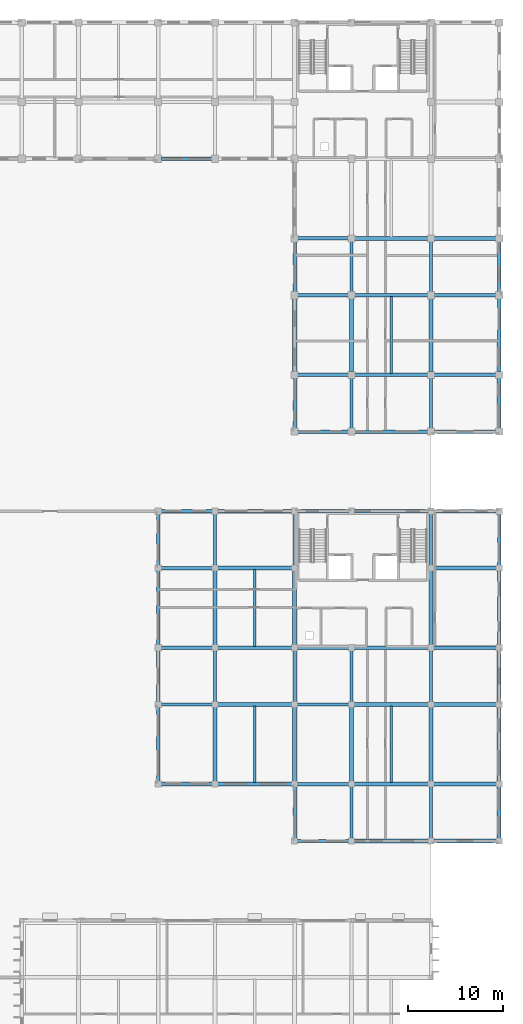
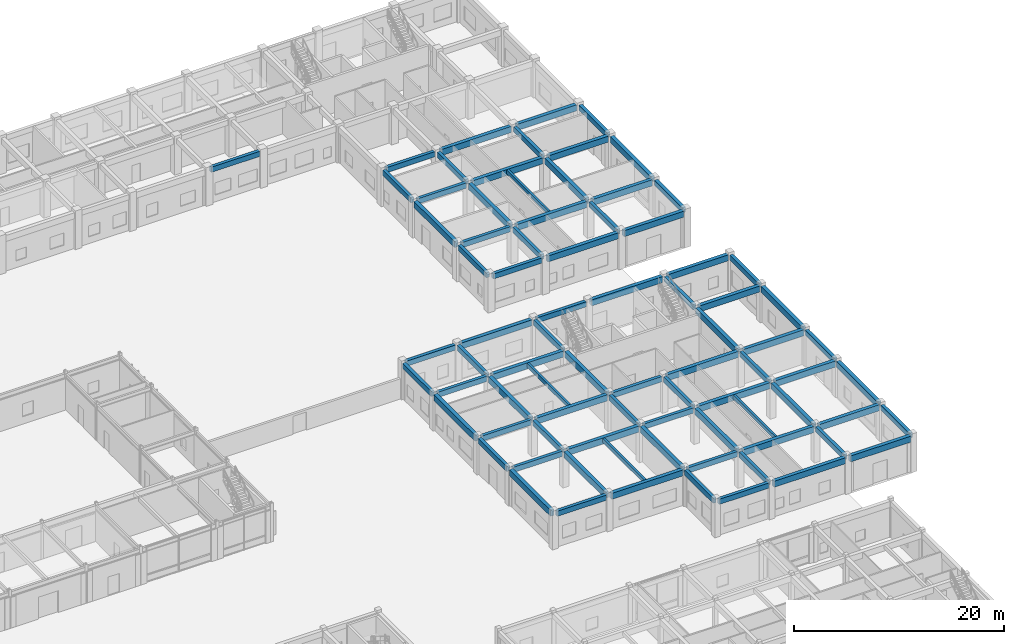
# One storey, part 22 of 67: 81 beams.
"""IFC4 building model written with IfcOpenShell, lengths in metres."""

from ifc_helpers import new_model, si_unit, direction, frame, origin, origin_2d, place, context, subcontext, project, spatial, rectangle, extrude, material, material_profile, profile_set, type_object, element, save


model = new_model("IFC4")

# Units and contexts
model_context = context("Model", 3, precision=1e-05, world=origin(), true_north=direction((0.0, 1.0)))
body_context = subcontext(model_context, "Body", "Model", "MODEL_VIEW")
ifc_project = project(units=[si_unit("LENGTHUNIT", "METRE"), si_unit("AREAUNIT", "SQUARE_METRE"), si_unit("VOLUMEUNIT", "CUBIC_METRE"), si_unit("PLANEANGLEUNIT", "RADIAN"), si_unit("MASSUNIT", "GRAM", prefix="KILO"), si_unit("THERMODYNAMICTEMPERATUREUNIT", "KELVIN")], contexts=[model_context])

# Site, building, storey
site_placement = place(None, origin())
site = spatial("IfcSite", under=ifc_project, at=site_placement, CompositionType="ELEMENT")
building_placement = place(site_placement, origin())
building = spatial("IfcBuilding", under=site, at=building_placement, Name="Thalorik Housing Commons", CompositionType="ELEMENT")
storey_placement = place(building_placement, origin())
storey = spatial("IfcBuildingStorey", under=building, at=storey_placement, Name="L00", CompositionType="ELEMENT", Elevation=0.0)

# Beams
ifc_material = material(Name="Precast concrete C40/50", Category="concrete")
ifc_material_profile_1 = material_profile(ifc_material, rectangle(XDim=0.35009765625, YDim=0.60009765625, at=origin_2d()), Name="PC 350x600", Category="concrete")
ifc_profile_set_1 = profile_set([ifc_material_profile_1], Name="Precast concrete C40/50")
beam_type_1 = type_object("IfcBeamType", Name="STR-BM-PC350x600", PredefinedType="BEAM", material=ifc_profile_set_1)
beam_1_placement = place(storey_placement, frame((152.675048828125, 37.199951171875, 3.89990234375), z_axis=(1.0, 0.0, 0.0), x_axis=(0.0, 1.0, 0.0)))
element("IfcBeam", 1, at=beam_1_placement, inside=storey, type_object=beam_type_1, Name="L00 Beam B-600", PredefinedType="BEAM", context=body_context, shape_type="SweptSolid", body=[
    extrude(rectangle(XDim=0.35009765625, YDim=0.60009765625, at=origin_2d()), origin(), (0.0, 0.0, 1.0), 5.449951171875),
])
beam_2_placement = place(storey_placement, frame((138.27490234375, 43.199951171875, 3.89990234375), z_axis=(1.0, 0.0, 0.0), x_axis=(0.0, 1.0, 0.0)))
element("IfcBeam", 2, at=beam_2_placement, inside=storey, type_object=beam_type_1, Name="L00 Beam B-600", PredefinedType="BEAM", context=body_context, shape_type="SweptSolid", body=[
    extrude(rectangle(XDim=0.35009765625, YDim=0.60009765625, at=origin_2d()), origin(), (0.0, 0.0, 1.0), 5.4501953125),
])
beam_3_placement = place(storey_placement, frame((152.675048828125, 43.199951171875, 3.89990234375), z_axis=(1.0, 0.0, 0.0), x_axis=(0.0, 1.0, 0.0)))
element("IfcBeam", 3, at=beam_3_placement, inside=storey, type_object=beam_type_1, Name="L00 Beam B-600", PredefinedType="BEAM", context=body_context, shape_type="SweptSolid", body=[
    extrude(rectangle(XDim=0.35009765625, YDim=0.60009765625, at=origin_2d()), origin(), (0.0, 0.0, 1.0), 5.449951171875),
])
beam_4_placement = place(storey_placement, frame((138.27490234375, 51.60009765625, 3.89990234375), z_axis=(1.0, 0.0, 0.0), x_axis=(0.0, 1.0, 0.0)))
element("IfcBeam", 4, at=beam_4_placement, inside=storey, type_object=beam_type_1, Name="L00 Beam B-600", PredefinedType="BEAM", context=body_context, shape_type="SweptSolid", body=[
    extrude(rectangle(XDim=0.35009765625, YDim=0.60009765625, at=origin_2d()), origin(), (0.0, 0.0, 1.0), 5.4501953125),
])
beam_5_placement = place(storey_placement, frame((152.675048828125, 51.60009765625, 3.89990234375), z_axis=(1.0, 0.0, 0.0), x_axis=(0.0, 1.0, 0.0)))
element("IfcBeam", 5, at=beam_5_placement, inside=storey, type_object=beam_type_1, Name="L00 Beam B-600", PredefinedType="BEAM", context=body_context, shape_type="SweptSolid", body=[
    extrude(rectangle(XDim=0.35009765625, YDim=0.60009765625, at=origin_2d()), origin(), (0.0, 0.0, 1.0), 5.449951171875),
])
beam_6_placement = place(storey_placement, frame((138.27490234375, 57.60009765625, 3.89990234375), z_axis=(1.0, 0.0, 0.0), x_axis=(0.0, 1.0, 0.0)))
element("IfcBeam", 6, at=beam_6_placement, inside=storey, type_object=beam_type_1, Name="L00 Beam B-600", PredefinedType="BEAM", context=body_context, shape_type="SweptSolid", body=[
    extrude(rectangle(XDim=0.35009765625, YDim=0.60009765625, at=origin_2d()), origin(), (0.0, 0.0, 1.0), 5.4501953125),
])
beam_7_placement = place(storey_placement, frame((152.675048828125, 57.60009765625, 3.89990234375), z_axis=(1.0, 0.0, 0.0), x_axis=(0.0, 1.0, 0.0)))
element("IfcBeam", 7, at=beam_7_placement, inside=storey, type_object=beam_type_1, Name="L00 Beam B-600", PredefinedType="BEAM", context=body_context, shape_type="SweptSolid", body=[
    extrude(rectangle(XDim=0.35009765625, YDim=0.60009765625, at=origin_2d()), origin(), (0.0, 0.0, 1.0), 5.449951171875),
])
for number, where, z_axis, x_axis, name in (
    (8, (138.27490234375, 66.0, 3.89990234375), (1.0, 0.0, 0.0), (0.0, 1.0, 0.0), "L00 Beam B-600"),
    (9, (138.27490234375, 72.0, 3.89990234375), (1.0, 0.0, 0.0), (0.0, 1.0, 0.0), "L00 Beam B-600"),
):
    element("IfcBeam", number, at=place(storey_placement, frame(where, z_axis=z_axis, x_axis=x_axis)), inside=storey, type_object=beam_type_1, Name=name, PredefinedType="BEAM", context=body_context, shape_type="SweptSolid", body=[
        extrude(rectangle(XDim=0.35009765625, YDim=0.60009765625, at=origin_2d()), origin(), (0.0, 0.0, 1.0), 5.4501953125),
    ])
beam_8_placement = place(storey_placement, frame((152.675048828125, 72.0, 3.89990234375), z_axis=(1.0, 0.0, 0.0), x_axis=(0.0, 1.0, 0.0)))
element("IfcBeam", 10, at=beam_8_placement, inside=storey, type_object=beam_type_1, Name="L00 Beam B-600", PredefinedType="BEAM", context=body_context, shape_type="SweptSolid", body=[
    extrude(rectangle(XDim=0.35009765625, YDim=0.60009765625, at=origin_2d()), origin(), (0.0, 0.0, 1.0), 5.449951171875),
])
for number, where, z_axis, x_axis, name in (
    (11, (152.72509765625, 80.39990234375, 3.89990234375), (1.0, 0.0, 0.0), (0.0, 1.0, 0.0), "L00 Beam B-600"),
    (12, (152.72509765625, 86.39990234375, 3.89990234375), (1.0, 0.0, 0.0), (0.0, 1.0, 0.0), "L00 Beam B-600"),
    (13, (152.72509765625, 94.800048828125, 3.89990234375), (1.0, 0.0, 0.0), (0.0, 1.0, 0.0), "L00 Beam B-600"),
    (14, (152.72509765625, 100.800048828125, 3.89990234375), (1.0, 0.0, 0.0), (0.0, 1.0, 0.0), "L00 Beam B-600"),
):
    element("IfcBeam", number, at=place(storey_placement, frame(where, z_axis=z_axis, x_axis=x_axis)), inside=storey, type_object=beam_type_1, Name=name, PredefinedType="BEAM", context=body_context, shape_type="SweptSolid", body=[
        extrude(rectangle(XDim=0.35009765625, YDim=0.60009765625, at=origin_2d()), origin(), (0.0, 0.0, 1.0), 5.349853515625),
    ])
beam_9_placement = place(storey_placement, frame((138.324951171875, 109.199951171875, 3.89990234375), z_axis=(1.0, 0.0, 0.0), x_axis=(0.0, 1.0, 0.0)))
element("IfcBeam", 15, at=beam_9_placement, inside=storey, type_object=beam_type_1, Name="L00 Beam B-600", PredefinedType="BEAM", context=body_context, shape_type="SweptSolid", body=[
    extrude(rectangle(XDim=0.35009765625, YDim=0.60009765625, at=origin_2d()), origin(), (0.0, 0.0, 1.0), 5.35009765625),
])
beam_10_placement = place(storey_placement, frame((138.0, 51.875, 3.89990234375), z_axis=(0.0, 1.0, 0.0), x_axis=(-1.0, 0.0, 0.0)))
element("IfcBeam", 16, at=beam_10_placement, inside=storey, type_object=beam_type_1, Name="L00 Beam B-600", PredefinedType="BEAM", context=body_context, shape_type="SweptSolid", body=[
    extrude(rectangle(XDim=0.35009765625, YDim=0.60009765625, at=origin_2d()), origin(), (0.0, 0.0, 1.0), 5.449951171875),
])
beam_11_placement = place(storey_placement, frame((138.0, 66.27490234375, 3.89990234375), z_axis=(0.0, 1.0, 0.0), x_axis=(-1.0, 0.0, 0.0)))
element("IfcBeam", 17, at=beam_11_placement, inside=storey, type_object=beam_type_1, Name="L00 Beam B-600", PredefinedType="BEAM", context=body_context, shape_type="SweptSolid", body=[
    extrude(rectangle(XDim=0.35009765625, YDim=0.60009765625, at=origin_2d()), origin(), (0.0, 0.0, 1.0), 5.4501953125),
])
beam_12_placement = place(storey_placement, frame((144.0, 51.875, 3.89990234375), z_axis=(0.0, 1.0, 0.0), x_axis=(-1.0, 0.0, 0.0)))
element("IfcBeam", 18, at=beam_12_placement, inside=storey, type_object=beam_type_1, Name="L00 Beam B-600", PredefinedType="BEAM", context=body_context, shape_type="SweptSolid", body=[
    extrude(rectangle(XDim=0.35009765625, YDim=0.60009765625, at=origin_2d()), origin(), (0.0, 0.0, 1.0), 5.449951171875),
])
beam_13_placement = place(storey_placement, frame((144.0, 66.27490234375, 3.89990234375), z_axis=(0.0, 1.0, 0.0), x_axis=(-1.0, 0.0, 0.0)))
element("IfcBeam", 19, at=beam_13_placement, inside=storey, type_object=beam_type_1, Name="L00 Beam B-600", PredefinedType="BEAM", context=body_context, shape_type="SweptSolid", body=[
    extrude(rectangle(XDim=0.35009765625, YDim=0.60009765625, at=origin_2d()), origin(), (0.0, 0.0, 1.0), 5.4501953125),
])
for number, where, z_axis, x_axis, name in (
    (20, (152.39990234375, 37.47509765625, 3.89990234375), (0.0, 1.0, 0.0), (-1.0, 0.0, 0.0), "L00 Beam B-600"),
    (21, (152.39990234375, 51.875, 3.89990234375), (0.0, 1.0, 0.0), (-1.0, 0.0, 0.0), "L00 Beam B-600"),
):
    element("IfcBeam", number, at=place(storey_placement, frame(where, z_axis=z_axis, x_axis=x_axis)), inside=storey, type_object=beam_type_1, Name=name, PredefinedType="BEAM", context=body_context, shape_type="SweptSolid", body=[
        extrude(rectangle(XDim=0.35009765625, YDim=0.60009765625, at=origin_2d()), origin(), (0.0, 0.0, 1.0), 5.449951171875),
    ])
beam_14_placement = place(storey_placement, frame((152.39990234375, 66.27490234375, 3.89990234375), z_axis=(0.0, 1.0, 0.0), x_axis=(-1.0, 0.0, 0.0)))
element("IfcBeam", 22, at=beam_14_placement, inside=storey, type_object=beam_type_1, Name="L00 Beam B-600", PredefinedType="BEAM", context=body_context, shape_type="SweptSolid", body=[
    extrude(rectangle(XDim=0.35009765625, YDim=0.60009765625, at=origin_2d()), origin(), (0.0, 0.0, 1.0), 5.4501953125),
])
beam_15_placement = place(storey_placement, frame((152.39990234375, 80.72509765625, 3.89990234375), z_axis=(0.0, 1.0, 0.0), x_axis=(-1.0, 0.0, 0.0)))
element("IfcBeam", 23, at=beam_15_placement, inside=storey, type_object=beam_type_1, Name="L00 Beam B-600", PredefinedType="BEAM", context=body_context, shape_type="SweptSolid", body=[
    extrude(rectangle(XDim=0.35009765625, YDim=0.60009765625, at=origin_2d()), origin(), (0.0, 0.0, 1.0), 5.349853515625),
])
beam_16_placement = place(storey_placement, frame((152.39990234375, 95.125, 3.89990234375), z_axis=(0.0, 1.0, 0.0), x_axis=(-1.0, 0.0, 0.0)))
element("IfcBeam", 24, at=beam_16_placement, inside=storey, type_object=beam_type_1, Name="L00 Beam B-600", PredefinedType="BEAM", context=body_context, shape_type="SweptSolid", body=[
    extrude(rectangle(XDim=0.35009765625, YDim=0.60009765625, at=origin_2d()), origin(), (0.0, 0.0, 1.0), 5.35009765625),
])
for number, where, z_axis, x_axis, name in (
    (25, (158.39990234375, 37.47509765625, 3.89990234375), (0.0, 1.0, 0.0), (-1.0, 0.0, 0.0), "L00 Beam B-600"),
    (26, (158.39990234375, 51.875, 3.89990234375), (0.0, 1.0, 0.0), (-1.0, 0.0, 0.0), "L00 Beam B-600"),
):
    element("IfcBeam", number, at=place(storey_placement, frame(where, z_axis=z_axis, x_axis=x_axis)), inside=storey, type_object=beam_type_1, Name=name, PredefinedType="BEAM", context=body_context, shape_type="SweptSolid", body=[
        extrude(rectangle(XDim=0.35009765625, YDim=0.60009765625, at=origin_2d()), origin(), (0.0, 0.0, 1.0), 5.449951171875),
    ])
beam_17_placement = place(storey_placement, frame((158.39990234375, 80.72509765625, 3.89990234375), z_axis=(0.0, 1.0, 0.0), x_axis=(-1.0, 0.0, 0.0)))
element("IfcBeam", 27, at=beam_17_placement, inside=storey, type_object=beam_type_1, Name="L00 Beam B-600", PredefinedType="BEAM", context=body_context, shape_type="SweptSolid", body=[
    extrude(rectangle(XDim=0.35009765625, YDim=0.60009765625, at=origin_2d()), origin(), (0.0, 0.0, 1.0), 5.349853515625),
])
beam_18_placement = place(storey_placement, frame((158.39990234375, 95.125, 3.89990234375), z_axis=(0.0, 1.0, 0.0), x_axis=(-1.0, 0.0, 0.0)))
element("IfcBeam", 28, at=beam_18_placement, inside=storey, type_object=beam_type_1, Name="L00 Beam B-600", PredefinedType="BEAM", context=body_context, shape_type="SweptSolid", body=[
    extrude(rectangle(XDim=0.35009765625, YDim=0.60009765625, at=origin_2d()), origin(), (0.0, 0.0, 1.0), 5.35009765625),
])
for number, where, z_axis, x_axis, name in (
    (29, (166.800048828125, 37.47509765625, 3.89990234375), (0.0, 1.0, 0.0), (-1.0, 0.0, 0.0), "L00 Beam B-600"),
    (30, (166.800048828125, 51.875, 3.89990234375), (0.0, 1.0, 0.0), (-1.0, 0.0, 0.0), "L00 Beam B-600"),
):
    element("IfcBeam", number, at=place(storey_placement, frame(where, z_axis=z_axis, x_axis=x_axis)), inside=storey, type_object=beam_type_1, Name=name, PredefinedType="BEAM", context=body_context, shape_type="SweptSolid", body=[
        extrude(rectangle(XDim=0.35009765625, YDim=0.60009765625, at=origin_2d()), origin(), (0.0, 0.0, 1.0), 5.449951171875),
    ])
beam_19_placement = place(storey_placement, frame((166.800048828125, 66.27490234375, 3.89990234375), z_axis=(0.0, 1.0, 0.0), x_axis=(-1.0, 0.0, 0.0)))
element("IfcBeam", 31, at=beam_19_placement, inside=storey, type_object=beam_type_1, Name="L00 Beam B-600", PredefinedType="BEAM", context=body_context, shape_type="SweptSolid", body=[
    extrude(rectangle(XDim=0.35009765625, YDim=0.60009765625, at=origin_2d()), origin(), (0.0, 0.0, 1.0), 5.4501953125),
])
beam_20_placement = place(storey_placement, frame((166.800048828125, 80.72509765625, 3.89990234375), z_axis=(0.0, 1.0, 0.0), x_axis=(-1.0, 0.0, 0.0)))
element("IfcBeam", 32, at=beam_20_placement, inside=storey, type_object=beam_type_1, Name="L00 Beam B-600", PredefinedType="BEAM", context=body_context, shape_type="SweptSolid", body=[
    extrude(rectangle(XDim=0.35009765625, YDim=0.60009765625, at=origin_2d()), origin(), (0.0, 0.0, 1.0), 5.349853515625),
])
beam_21_placement = place(storey_placement, frame((166.800048828125, 95.125, 3.89990234375), z_axis=(0.0, 1.0, 0.0), x_axis=(-1.0, 0.0, 0.0)))
element("IfcBeam", 33, at=beam_21_placement, inside=storey, type_object=beam_type_1, Name="L00 Beam B-600", PredefinedType="BEAM", context=body_context, shape_type="SweptSolid", body=[
    extrude(rectangle(XDim=0.35009765625, YDim=0.60009765625, at=origin_2d()), origin(), (0.0, 0.0, 1.0), 5.35009765625),
])
for number, where, z_axis, x_axis, name in (
    (34, (174.0, 37.47509765625, 3.89990234375), (0.0, 1.0, 0.0), (-1.0, 0.0, 0.0), "L00 Beam B-600"),
    (35, (174.0, 51.875, 3.89990234375), (0.0, 1.0, 0.0), (-1.0, 0.0, 0.0), "L00 Beam B-600"),
):
    element("IfcBeam", number, at=place(storey_placement, frame(where, z_axis=z_axis, x_axis=x_axis)), inside=storey, type_object=beam_type_1, Name=name, PredefinedType="BEAM", context=body_context, shape_type="SweptSolid", body=[
        extrude(rectangle(XDim=0.35009765625, YDim=0.60009765625, at=origin_2d()), origin(), (0.0, 0.0, 1.0), 5.449951171875),
    ])
beam_22_placement = place(storey_placement, frame((174.0, 66.27490234375, 3.89990234375), z_axis=(0.0, 1.0, 0.0), x_axis=(-1.0, 0.0, 0.0)))
element("IfcBeam", 36, at=beam_22_placement, inside=storey, type_object=beam_type_1, Name="L00 Beam B-600", PredefinedType="BEAM", context=body_context, shape_type="SweptSolid", body=[
    extrude(rectangle(XDim=0.35009765625, YDim=0.60009765625, at=origin_2d()), origin(), (0.0, 0.0, 1.0), 5.4501953125),
])
beam_23_placement = place(storey_placement, frame((174.0, 80.72509765625, 3.89990234375), z_axis=(0.0, 1.0, 0.0), x_axis=(-1.0, 0.0, 0.0)))
element("IfcBeam", 37, at=beam_23_placement, inside=storey, type_object=beam_type_1, Name="L00 Beam B-600", PredefinedType="BEAM", context=body_context, shape_type="SweptSolid", body=[
    extrude(rectangle(XDim=0.35009765625, YDim=0.60009765625, at=origin_2d()), origin(), (0.0, 0.0, 1.0), 5.349853515625),
])
beam_24_placement = place(storey_placement, frame((174.0, 95.125, 3.89990234375), z_axis=(0.0, 1.0, 0.0), x_axis=(-1.0, 0.0, 0.0)))
element("IfcBeam", 38, at=beam_24_placement, inside=storey, type_object=beam_type_1, Name="L00 Beam B-600", PredefinedType="BEAM", context=body_context, shape_type="SweptSolid", body=[
    extrude(rectangle(XDim=0.35009765625, YDim=0.60009765625, at=origin_2d()), origin(), (0.0, 0.0, 1.0), 5.35009765625),
])
ifc_material_profile_2 = material_profile(ifc_material, rectangle(XDim=0.39990234375, YDim=0.699951171875, at=origin_2d()), Name="PC 400x700", Category="concrete")
ifc_profile_set_2 = profile_set([ifc_material_profile_2], Name="Precast concrete C40/50")
beam_type_2 = type_object("IfcBeamType", Name="STR-BM-PC400x700", PredefinedType="BEAM", material=ifc_profile_set_2)
beam_25_placement = place(storey_placement, frame((158.675048828125, 37.199951171875, 3.85009765625), z_axis=(1.0, 0.0, 0.0), x_axis=(0.0, 1.0, 0.0)))
element("IfcBeam", 39, at=beam_25_placement, inside=storey, type_object=beam_type_2, Name="L00 Beam B-700", PredefinedType="BEAM", context=body_context, shape_type="SweptSolid", body=[
    extrude(rectangle(XDim=0.39990234375, YDim=0.699951171875, at=origin_2d()), origin(), (0.0, 0.0, 1.0), 7.849853515625),
])
beam_26_placement = place(storey_placement, frame((167.074951171875, 37.199951171875, 3.85009765625), z_axis=(1.0, 0.0, 0.0), x_axis=(0.0, 1.0, 0.0)))
element("IfcBeam", 40, at=beam_26_placement, inside=storey, type_object=beam_type_2, Name="L00 Beam B-700", PredefinedType="BEAM", context=body_context, shape_type="SweptSolid", body=[
    extrude(rectangle(XDim=0.39990234375, YDim=0.699951171875, at=origin_2d()), origin(), (0.0, 0.0, 1.0), 6.650146484375),
])
beam_27_placement = place(storey_placement, frame((144.27490234375, 43.199951171875, 3.85009765625), z_axis=(1.0, 0.0, 0.0), x_axis=(0.0, 1.0, 0.0)))
element("IfcBeam", 41, at=beam_27_placement, inside=storey, type_object=beam_type_2, Name="L00 Beam B-700", PredefinedType="BEAM", context=body_context, shape_type="SweptSolid", body=[
    extrude(rectangle(XDim=0.39990234375, YDim=0.699951171875, at=origin_2d()), origin(), (0.0, 0.0, 1.0), 7.85009765625),
])
beam_28_placement = place(storey_placement, frame((158.675048828125, 43.199951171875, 3.85009765625), z_axis=(1.0, 0.0, 0.0), x_axis=(0.0, 1.0, 0.0)))
element("IfcBeam", 42, at=beam_28_placement, inside=storey, type_object=beam_type_2, Name="L00 Beam B-700", PredefinedType="BEAM", context=body_context, shape_type="SweptSolid", body=[
    extrude(rectangle(XDim=0.39990234375, YDim=0.699951171875, at=origin_2d()), origin(), (0.0, 0.0, 1.0), 7.849853515625),
])
beam_29_placement = place(storey_placement, frame((167.074951171875, 43.199951171875, 3.85009765625), z_axis=(1.0, 0.0, 0.0), x_axis=(0.0, 1.0, 0.0)))
element("IfcBeam", 43, at=beam_29_placement, inside=storey, type_object=beam_type_2, Name="L00 Beam B-700", PredefinedType="BEAM", context=body_context, shape_type="SweptSolid", body=[
    extrude(rectangle(XDim=0.39990234375, YDim=0.699951171875, at=origin_2d()), origin(), (0.0, 0.0, 1.0), 6.650146484375),
])
beam_30_placement = place(storey_placement, frame((144.27490234375, 51.60009765625, 3.85009765625), z_axis=(1.0, 0.0, 0.0), x_axis=(0.0, 1.0, 0.0)))
element("IfcBeam", 44, at=beam_30_placement, inside=storey, type_object=beam_type_2, Name="L00 Beam B-700", PredefinedType="BEAM", context=body_context, shape_type="SweptSolid", body=[
    extrude(rectangle(XDim=0.39990234375, YDim=0.699951171875, at=origin_2d()), origin(), (0.0, 0.0, 1.0), 7.85009765625),
])
beam_31_placement = place(storey_placement, frame((158.675048828125, 51.60009765625, 3.85009765625), z_axis=(1.0, 0.0, 0.0), x_axis=(0.0, 1.0, 0.0)))
element("IfcBeam", 45, at=beam_31_placement, inside=storey, type_object=beam_type_2, Name="L00 Beam B-700", PredefinedType="BEAM", context=body_context, shape_type="SweptSolid", body=[
    extrude(rectangle(XDim=0.39990234375, YDim=0.699951171875, at=origin_2d()), origin(), (0.0, 0.0, 1.0), 7.849853515625),
])
beam_32_placement = place(storey_placement, frame((167.074951171875, 51.60009765625, 3.85009765625), z_axis=(1.0, 0.0, 0.0), x_axis=(0.0, 1.0, 0.0)))
element("IfcBeam", 46, at=beam_32_placement, inside=storey, type_object=beam_type_2, Name="L00 Beam B-700", PredefinedType="BEAM", context=body_context, shape_type="SweptSolid", body=[
    extrude(rectangle(XDim=0.39990234375, YDim=0.699951171875, at=origin_2d()), origin(), (0.0, 0.0, 1.0), 6.650146484375),
])
beam_33_placement = place(storey_placement, frame((144.27490234375, 57.60009765625, 3.85009765625), z_axis=(1.0, 0.0, 0.0), x_axis=(0.0, 1.0, 0.0)))
element("IfcBeam", 47, at=beam_33_placement, inside=storey, type_object=beam_type_2, Name="L00 Beam B-700", PredefinedType="BEAM", context=body_context, shape_type="SweptSolid", body=[
    extrude(rectangle(XDim=0.39990234375, YDim=0.699951171875, at=origin_2d()), origin(), (0.0, 0.0, 1.0), 7.85009765625),
])
beam_34_placement = place(storey_placement, frame((158.675048828125, 57.60009765625, 3.85009765625), z_axis=(1.0, 0.0, 0.0), x_axis=(0.0, 1.0, 0.0)))
element("IfcBeam", 48, at=beam_34_placement, inside=storey, type_object=beam_type_2, Name="L00 Beam B-700", PredefinedType="BEAM", context=body_context, shape_type="SweptSolid", body=[
    extrude(rectangle(XDim=0.39990234375, YDim=0.699951171875, at=origin_2d()), origin(), (0.0, 0.0, 1.0), 7.849853515625),
])
beam_35_placement = place(storey_placement, frame((167.074951171875, 57.60009765625, 3.85009765625), z_axis=(1.0, 0.0, 0.0), x_axis=(0.0, 1.0, 0.0)))
element("IfcBeam", 49, at=beam_35_placement, inside=storey, type_object=beam_type_2, Name="L00 Beam B-700", PredefinedType="BEAM", context=body_context, shape_type="SweptSolid", body=[
    extrude(rectangle(XDim=0.39990234375, YDim=0.699951171875, at=origin_2d()), origin(), (0.0, 0.0, 1.0), 6.650146484375),
])
beam_36_placement = place(storey_placement, frame((144.27490234375, 66.0, 3.85009765625), z_axis=(1.0, 0.0, 0.0), x_axis=(0.0, 1.0, 0.0)))
element("IfcBeam", 50, at=beam_36_placement, inside=storey, type_object=beam_type_2, Name="L00 Beam B-700", PredefinedType="BEAM", context=body_context, shape_type="SweptSolid", body=[
    extrude(rectangle(XDim=0.39990234375, YDim=0.699951171875, at=origin_2d()), origin(), (0.0, 0.0, 1.0), 7.85009765625),
])
beam_37_placement = place(storey_placement, frame((167.074951171875, 66.0, 3.85009765625), z_axis=(1.0, 0.0, 0.0), x_axis=(0.0, 1.0, 0.0)))
element("IfcBeam", 51, at=beam_37_placement, inside=storey, type_object=beam_type_2, Name="L00 Beam B-700", PredefinedType="BEAM", context=body_context, shape_type="SweptSolid", body=[
    extrude(rectangle(XDim=0.39990234375, YDim=0.699951171875, at=origin_2d()), origin(), (0.0, 0.0, 1.0), 6.650146484375),
])
beam_38_placement = place(storey_placement, frame((144.27490234375, 72.0, 3.85009765625), z_axis=(1.0, 0.0, 0.0), x_axis=(0.0, 1.0, 0.0)))
element("IfcBeam", 52, at=beam_38_placement, inside=storey, type_object=beam_type_2, Name="L00 Beam B-700", PredefinedType="BEAM", context=body_context, shape_type="SweptSolid", body=[
    extrude(rectangle(XDim=0.39990234375, YDim=0.699951171875, at=origin_2d()), origin(), (0.0, 0.0, 1.0), 7.85009765625),
])
beam_39_placement = place(storey_placement, frame((158.675048828125, 72.0, 3.85009765625), z_axis=(1.0, 0.0, 0.0), x_axis=(0.0, 1.0, 0.0)))
element("IfcBeam", 53, at=beam_39_placement, inside=storey, type_object=beam_type_2, Name="L00 Beam B-700", PredefinedType="BEAM", context=body_context, shape_type="SweptSolid", body=[
    extrude(rectangle(XDim=0.39990234375, YDim=0.699951171875, at=origin_2d()), origin(), (0.0, 0.0, 1.0), 7.849853515625),
])
beam_40_placement = place(storey_placement, frame((167.074951171875, 72.0, 3.85009765625), z_axis=(1.0, 0.0, 0.0), x_axis=(0.0, 1.0, 0.0)))
element("IfcBeam", 54, at=beam_40_placement, inside=storey, type_object=beam_type_2, Name="L00 Beam B-700", PredefinedType="BEAM", context=body_context, shape_type="SweptSolid", body=[
    extrude(rectangle(XDim=0.39990234375, YDim=0.699951171875, at=origin_2d()), origin(), (0.0, 0.0, 1.0), 6.650146484375),
])
beam_41_placement = place(storey_placement, frame((158.72509765625, 80.39990234375, 3.85009765625), z_axis=(1.0, 0.0, 0.0), x_axis=(0.0, 1.0, 0.0)))
element("IfcBeam", 55, at=beam_41_placement, inside=storey, type_object=beam_type_2, Name="L00 Beam B-700", PredefinedType="BEAM", context=body_context, shape_type="SweptSolid", body=[
    extrude(rectangle(XDim=0.39990234375, YDim=0.699951171875, at=origin_2d()), origin(), (0.0, 0.0, 1.0), 7.75),
])
beam_42_placement = place(storey_placement, frame((167.125, 80.39990234375, 3.85009765625), z_axis=(1.0, 0.0, 0.0), x_axis=(0.0, 1.0, 0.0)))
element("IfcBeam", 56, at=beam_42_placement, inside=storey, type_object=beam_type_2, Name="L00 Beam B-700", PredefinedType="BEAM", context=body_context, shape_type="SweptSolid", body=[
    extrude(rectangle(XDim=0.39990234375, YDim=0.699951171875, at=origin_2d()), origin(), (0.0, 0.0, 1.0), 6.550048828125),
])
beam_43_placement = place(storey_placement, frame((158.72509765625, 86.39990234375, 3.85009765625), z_axis=(1.0, 0.0, 0.0), x_axis=(0.0, 1.0, 0.0)))
element("IfcBeam", 57, at=beam_43_placement, inside=storey, type_object=beam_type_2, Name="L00 Beam B-700", PredefinedType="BEAM", context=body_context, shape_type="SweptSolid", body=[
    extrude(rectangle(XDim=0.39990234375, YDim=0.699951171875, at=origin_2d()), origin(), (0.0, 0.0, 1.0), 7.75),
])
beam_44_placement = place(storey_placement, frame((167.125, 86.39990234375, 3.85009765625), z_axis=(1.0, 0.0, 0.0), x_axis=(0.0, 1.0, 0.0)))
element("IfcBeam", 58, at=beam_44_placement, inside=storey, type_object=beam_type_2, Name="L00 Beam B-700", PredefinedType="BEAM", context=body_context, shape_type="SweptSolid", body=[
    extrude(rectangle(XDim=0.39990234375, YDim=0.699951171875, at=origin_2d()), origin(), (0.0, 0.0, 1.0), 6.550048828125),
])
beam_45_placement = place(storey_placement, frame((158.72509765625, 94.800048828125, 3.85009765625), z_axis=(1.0, 0.0, 0.0), x_axis=(0.0, 1.0, 0.0)))
element("IfcBeam", 59, at=beam_45_placement, inside=storey, type_object=beam_type_2, Name="L00 Beam B-700", PredefinedType="BEAM", context=body_context, shape_type="SweptSolid", body=[
    extrude(rectangle(XDim=0.39990234375, YDim=0.699951171875, at=origin_2d()), origin(), (0.0, 0.0, 1.0), 7.75),
])
beam_46_placement = place(storey_placement, frame((167.125, 94.800048828125, 3.85009765625), z_axis=(1.0, 0.0, 0.0), x_axis=(0.0, 1.0, 0.0)))
element("IfcBeam", 60, at=beam_46_placement, inside=storey, type_object=beam_type_2, Name="L00 Beam B-700", PredefinedType="BEAM", context=body_context, shape_type="SweptSolid", body=[
    extrude(rectangle(XDim=0.39990234375, YDim=0.699951171875, at=origin_2d()), origin(), (0.0, 0.0, 1.0), 6.550048828125),
])
beam_47_placement = place(storey_placement, frame((158.72509765625, 100.800048828125, 3.85009765625), z_axis=(1.0, 0.0, 0.0), x_axis=(0.0, 1.0, 0.0)))
element("IfcBeam", 61, at=beam_47_placement, inside=storey, type_object=beam_type_2, Name="L00 Beam B-700", PredefinedType="BEAM", context=body_context, shape_type="SweptSolid", body=[
    extrude(rectangle(XDim=0.39990234375, YDim=0.699951171875, at=origin_2d()), origin(), (0.0, 0.0, 1.0), 7.75),
])
beam_48_placement = place(storey_placement, frame((167.125, 100.800048828125, 3.85009765625), z_axis=(1.0, 0.0, 0.0), x_axis=(0.0, 1.0, 0.0)))
element("IfcBeam", 62, at=beam_48_placement, inside=storey, type_object=beam_type_2, Name="L00 Beam B-700", PredefinedType="BEAM", context=body_context, shape_type="SweptSolid", body=[
    extrude(rectangle(XDim=0.39990234375, YDim=0.699951171875, at=origin_2d()), origin(), (0.0, 0.0, 1.0), 6.550048828125),
])
beam_49_placement = place(storey_placement, frame((138.0, 43.47509765625, 3.85009765625), z_axis=(0.0, 1.0, 0.0), x_axis=(-1.0, 0.0, 0.0)))
element("IfcBeam", 63, at=beam_49_placement, inside=storey, type_object=beam_type_2, Name="L00 Beam B-700", PredefinedType="BEAM", context=body_context, shape_type="SweptSolid", body=[
    extrude(rectangle(XDim=0.39990234375, YDim=0.699951171875, at=origin_2d()), origin(), (0.0, 0.0, 1.0), 7.849853515625),
])
beam_50_placement = place(storey_placement, frame((138.0, 57.875, 3.85009765625), z_axis=(0.0, 1.0, 0.0), x_axis=(-1.0, 0.0, 0.0)))
element("IfcBeam", 64, at=beam_50_placement, inside=storey, type_object=beam_type_2, Name="L00 Beam B-700", PredefinedType="BEAM", context=body_context, shape_type="SweptSolid", body=[
    extrude(rectangle(XDim=0.39990234375, YDim=0.699951171875, at=origin_2d()), origin(), (0.0, 0.0, 1.0), 7.85009765625),
])
beam_51_placement = place(storey_placement, frame((144.0, 43.47509765625, 3.85009765625), z_axis=(0.0, 1.0, 0.0), x_axis=(-1.0, 0.0, 0.0)))
element("IfcBeam", 65, at=beam_51_placement, inside=storey, type_object=beam_type_2, Name="L00 Beam B-700", PredefinedType="BEAM", context=body_context, shape_type="SweptSolid", body=[
    extrude(rectangle(XDim=0.39990234375, YDim=0.699951171875, at=origin_2d()), origin(), (0.0, 0.0, 1.0), 7.849853515625),
])
beam_52_placement = place(storey_placement, frame((144.0, 57.875, 3.85009765625), z_axis=(0.0, 1.0, 0.0), x_axis=(-1.0, 0.0, 0.0)))
element("IfcBeam", 66, at=beam_52_placement, inside=storey, type_object=beam_type_2, Name="L00 Beam B-700", PredefinedType="BEAM", context=body_context, shape_type="SweptSolid", body=[
    extrude(rectangle(XDim=0.39990234375, YDim=0.699951171875, at=origin_2d()), origin(), (0.0, 0.0, 1.0), 7.85009765625),
])
beam_53_placement = place(storey_placement, frame((152.39990234375, 43.47509765625, 3.85009765625), z_axis=(0.0, 1.0, 0.0), x_axis=(-1.0, 0.0, 0.0)))
element("IfcBeam", 67, at=beam_53_placement, inside=storey, type_object=beam_type_2, Name="L00 Beam B-700", PredefinedType="BEAM", context=body_context, shape_type="SweptSolid", body=[
    extrude(rectangle(XDim=0.39990234375, YDim=0.699951171875, at=origin_2d()), origin(), (0.0, 0.0, 1.0), 7.849853515625),
])
beam_54_placement = place(storey_placement, frame((152.39990234375, 57.875, 3.85009765625), z_axis=(0.0, 1.0, 0.0), x_axis=(-1.0, 0.0, 0.0)))
element("IfcBeam", 68, at=beam_54_placement, inside=storey, type_object=beam_type_2, Name="L00 Beam B-700", PredefinedType="BEAM", context=body_context, shape_type="SweptSolid", body=[
    extrude(rectangle(XDim=0.39990234375, YDim=0.699951171875, at=origin_2d()), origin(), (0.0, 0.0, 1.0), 7.85009765625),
])
beam_55_placement = place(storey_placement, frame((152.39990234375, 86.72509765625, 3.85009765625), z_axis=(0.0, 1.0, 0.0), x_axis=(-1.0, 0.0, 0.0)))
element("IfcBeam", 69, at=beam_55_placement, inside=storey, type_object=beam_type_2, Name="L00 Beam B-700", PredefinedType="BEAM", context=body_context, shape_type="SweptSolid", body=[
    extrude(rectangle(XDim=0.39990234375, YDim=0.699951171875, at=origin_2d()), origin(), (0.0, 0.0, 1.0), 7.75),
])
beam_56_placement = place(storey_placement, frame((158.39990234375, 43.47509765625, 3.85009765625), z_axis=(0.0, 1.0, 0.0), x_axis=(-1.0, 0.0, 0.0)))
element("IfcBeam", 70, at=beam_56_placement, inside=storey, type_object=beam_type_2, Name="L00 Beam B-700", PredefinedType="BEAM", context=body_context, shape_type="SweptSolid", body=[
    extrude(rectangle(XDim=0.39990234375, YDim=0.699951171875, at=origin_2d()), origin(), (0.0, 0.0, 1.0), 7.849853515625),
])
beam_57_placement = place(storey_placement, frame((158.39990234375, 86.72509765625, 3.85009765625), z_axis=(0.0, 1.0, 0.0), x_axis=(-1.0, 0.0, 0.0)))
element("IfcBeam", 71, at=beam_57_placement, inside=storey, type_object=beam_type_2, Name="L00 Beam B-700", PredefinedType="BEAM", context=body_context, shape_type="SweptSolid", body=[
    extrude(rectangle(XDim=0.39990234375, YDim=0.699951171875, at=origin_2d()), origin(), (0.0, 0.0, 1.0), 7.75),
])
beam_58_placement = place(storey_placement, frame((166.800048828125, 43.47509765625, 3.85009765625), z_axis=(0.0, 1.0, 0.0), x_axis=(-1.0, 0.0, 0.0)))
element("IfcBeam", 72, at=beam_58_placement, inside=storey, type_object=beam_type_2, Name="L00 Beam B-700", PredefinedType="BEAM", context=body_context, shape_type="SweptSolid", body=[
    extrude(rectangle(XDim=0.39990234375, YDim=0.699951171875, at=origin_2d()), origin(), (0.0, 0.0, 1.0), 7.849853515625),
])
beam_59_placement = place(storey_placement, frame((166.800048828125, 57.875, 3.85009765625), z_axis=(0.0, 1.0, 0.0), x_axis=(-1.0, 0.0, 0.0)))
element("IfcBeam", 73, at=beam_59_placement, inside=storey, type_object=beam_type_2, Name="L00 Beam B-700", PredefinedType="BEAM", context=body_context, shape_type="SweptSolid", body=[
    extrude(rectangle(XDim=0.39990234375, YDim=0.699951171875, at=origin_2d()), origin(), (0.0, 0.0, 1.0), 7.85009765625),
])
beam_60_placement = place(storey_placement, frame((166.800048828125, 86.72509765625, 3.85009765625), z_axis=(0.0, 1.0, 0.0), x_axis=(-1.0, 0.0, 0.0)))
element("IfcBeam", 74, at=beam_60_placement, inside=storey, type_object=beam_type_2, Name="L00 Beam B-700", PredefinedType="BEAM", context=body_context, shape_type="SweptSolid", body=[
    extrude(rectangle(XDim=0.39990234375, YDim=0.699951171875, at=origin_2d()), origin(), (0.0, 0.0, 1.0), 7.75),
])
beam_61_placement = place(storey_placement, frame((174.0, 43.47509765625, 3.85009765625), z_axis=(0.0, 1.0, 0.0), x_axis=(-1.0, 0.0, 0.0)))
element("IfcBeam", 75, at=beam_61_placement, inside=storey, type_object=beam_type_2, Name="L00 Beam B-700", PredefinedType="BEAM", context=body_context, shape_type="SweptSolid", body=[
    extrude(rectangle(XDim=0.39990234375, YDim=0.699951171875, at=origin_2d()), origin(), (0.0, 0.0, 1.0), 7.849853515625),
])
beam_62_placement = place(storey_placement, frame((174.0, 57.875, 3.85009765625), z_axis=(0.0, 1.0, 0.0), x_axis=(-1.0, 0.0, 0.0)))
element("IfcBeam", 76, at=beam_62_placement, inside=storey, type_object=beam_type_2, Name="L00 Beam B-700", PredefinedType="BEAM", context=body_context, shape_type="SweptSolid", body=[
    extrude(rectangle(XDim=0.39990234375, YDim=0.699951171875, at=origin_2d()), origin(), (0.0, 0.0, 1.0), 7.85009765625),
])
beam_63_placement = place(storey_placement, frame((174.0, 86.72509765625, 3.85009765625), z_axis=(0.0, 1.0, 0.0), x_axis=(-1.0, 0.0, 0.0)))
element("IfcBeam", 77, at=beam_63_placement, inside=storey, type_object=beam_type_2, Name="L00 Beam B-700", PredefinedType="BEAM", context=body_context, shape_type="SweptSolid", body=[
    extrude(rectangle(XDim=0.39990234375, YDim=0.699951171875, at=origin_2d()), origin(), (0.0, 0.0, 1.0), 7.75),
])
ifc_material_profile_3 = material_profile(ifc_material, rectangle(XDim=0.239990234375, YDim=0.43994140625, at=origin_2d()), Name="PC JST 240x440", Category="concrete")
ifc_profile_set_3 = profile_set([ifc_material_profile_3], Name="Precast concrete C40/50")
beam_type_3 = type_object("IfcBeamType", Name="STR-JST-PC240x440", PredefinedType="JOIST", material=ifc_profile_set_3)
for number, where, z_axis, x_axis, name in (
    (78, (148.199951171875, 43.35009765625, 3.97998046875), (0.0, 1.0, 0.0), (-1.0, 0.0, 0.0), "L00 Beam J-440"),
    (79, (162.60009765625, 43.35009765625, 3.97998046875), (0.0, 1.0, 0.0), (-1.0, 0.0, 0.0), "L00 Beam J-440"),
):
    element("IfcBeam", number, at=place(storey_placement, frame(where, z_axis=z_axis, x_axis=x_axis)), inside=storey, type_object=beam_type_3, Name=name, PredefinedType="JOIST", context=body_context, shape_type="SweptSolid", body=[
        extrude(rectangle(XDim=0.239990234375, YDim=0.43994140625, at=origin_2d()), origin(), (0.0, 0.0, 1.0), 8.099853515625),
    ])
beam_64_placement = place(storey_placement, frame((148.199951171875, 57.75, 3.97998046875), z_axis=(0.0, 1.0, 0.0), x_axis=(-1.0, 0.0, 0.0)))
element("IfcBeam", 80, at=beam_64_placement, inside=storey, type_object=beam_type_3, Name="L00 Beam J-440", PredefinedType="JOIST", context=body_context, shape_type="SweptSolid", body=[
    extrude(rectangle(XDim=0.239990234375, YDim=0.43994140625, at=origin_2d()), origin(), (0.0, 0.0, 1.0), 8.10009765625),
])
beam_65_placement = place(storey_placement, frame((162.60009765625, 86.550048828125, 3.97998046875), z_axis=(0.0, 1.0, 0.0), x_axis=(-1.0, 0.0, 0.0)))
element("IfcBeam", 81, at=beam_65_placement, inside=storey, type_object=beam_type_3, Name="L00 Beam J-440", PredefinedType="JOIST", context=body_context, shape_type="SweptSolid", body=[
    extrude(rectangle(XDim=0.239990234375, YDim=0.43994140625, at=origin_2d()), origin(), (0.0, 0.0, 1.0), 8.099853515625),
])

save(model, "model.ifc")
